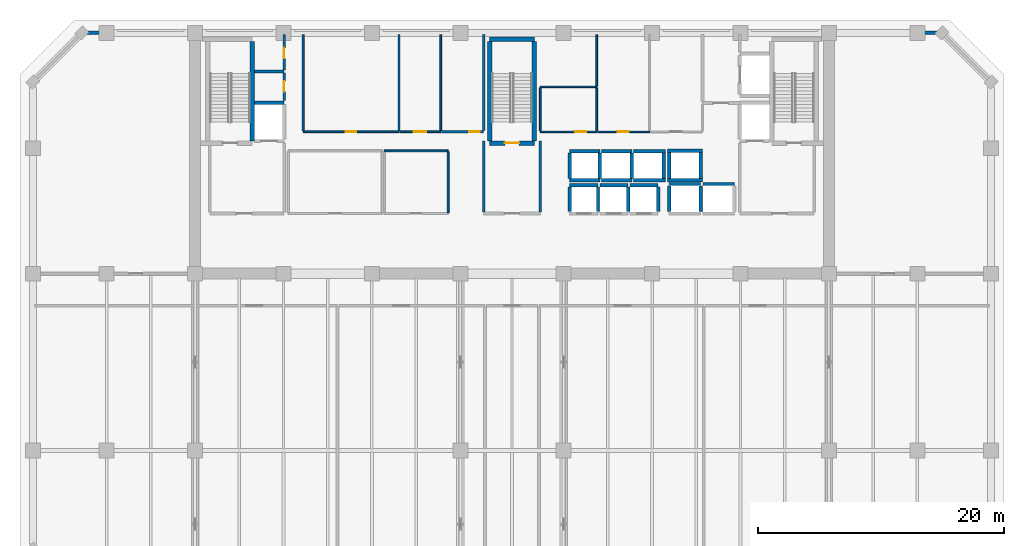
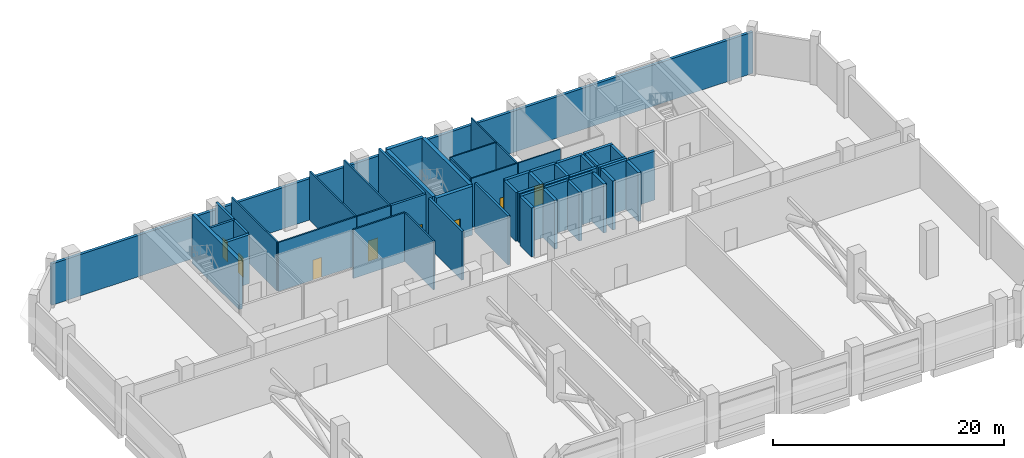
# One storey, part 9 of 13: 52 walls, 8 doors, 8 openings.
"""IFC4 building model written with IfcOpenShell, lengths in metres."""

from ifc_helpers import new_model, si_unit, direction, frame, frame_2d, origin, place, context, subcontext, project, spatial, rectangle, extrude, material, layer, layer_set, type_object, element, fill, save


model = new_model("IFC4")

# Units and contexts
model_context = context("Model", 3, precision=1e-05, world=origin(), true_north=direction((0.0, 1.0)))
body_context = subcontext(model_context, "Body", "Model", "MODEL_VIEW")
ifc_project = project(units=[si_unit("LENGTHUNIT", "METRE"), si_unit("AREAUNIT", "SQUARE_METRE"), si_unit("VOLUMEUNIT", "CUBIC_METRE"), si_unit("PLANEANGLEUNIT", "RADIAN"), si_unit("MASSUNIT", "GRAM", prefix="KILO")], contexts=[model_context])

# Site, building, storey
site_placement = place(None, origin())
site = spatial("IfcSite", under=ifc_project, at=site_placement, CompositionType="ELEMENT")
building_placement = place(site_placement, origin())
building = spatial("IfcBuilding", under=site, at=building_placement, Name="Kaelvorn Grand Hotel", CompositionType="ELEMENT")
storey_placement = place(building_placement, frame((0.0, 0.0, 184.75)))
storey = spatial("IfcBuildingStorey", under=building, at=storey_placement, Name="L45", CompositionType="ELEMENT", Elevation=184.75)

# Wall
ifc_material_1 = material(Name="Concrete C40/50", Category="concrete")
ifc_layer_1 = layer(ifc_material_1, 0.280029296875)
ifc_layer_set_1 = layer_set([ifc_layer_1], Name="Concrete C40/50")
wall_type_1 = type_object("IfcWallType", Name="WL-EXT-280-C40", PredefinedType="SOLIDWALL", material=ifc_layer_set_1)
wall_1_placement = place(storey_placement, frame((77.0, 49.0, 0.0), z_axis=(0.0, 0.0, 1.0), x_axis=(-1.0, 0.0, 0.0)))
element("IfcWall", 1, at=wall_1_placement, inside=storey, type_object=wall_type_1, Name="L45 Exterior Architectural Concrete Wall 05", PredefinedType="SOLIDWALL", context=body_context, shape_type="SweptSolid", body=[
    extrude(rectangle(XDim=70.0, YDim=0.280029296875, at=frame_2d((35.0, 0.0))), origin(), (0.0, 0.0, 1.0), 4.360107421875),
])

# Wall, opening, door
ifc_material_2 = material(Name="Moisture-Resistant Tile & Stud Board")
ifc_layer_2 = layer(ifc_material_2, 0.125)
ifc_layer_set_2 = layer_set([ifc_layer_2], Name="Moisture-Resistant Tile & Stud Board")
wall_type_2 = type_object("IfcWallType", Name="WL-PART-125-WET", PredefinedType="PARTITIONING", material=ifc_layer_set_2)
wall_2_placement = place(storey_placement, frame((44.300048828125, 40.949951171875, 0.0), z_axis=(0.0, 0.0, 1.0), x_axis=(1.0, 0.0, 0.0)))
wall_2 = element("IfcWall", 2, at=wall_2_placement, inside=storey, type_object=wall_type_2, Name="L45 Accessible WC S Partition", PredefinedType="PARTITIONING", context=body_context, shape_type="SweptSolid", body=[
    extrude(rectangle(XDim=4.599853515625, YDim=0.125, at=frame_2d((2.2998046875, 0.0))), origin(), (0.0, 0.0, 1.0), 5.159912109375),
])
opening_1_placement = place(wall_2_placement, frame((2.85009765625, 0.0, 0.0)))
opening_1 = element("IfcOpeningElement", 3, at=opening_1_placement, cuts=wall_2, Name="Opening DI4", PredefinedType="OPENING", context=body_context, shape_type="SweptSolid", body=[
    extrude(rectangle(XDim=0.89990234375, YDim=2.10009765625, at=frame_2d((0.449951171875, 1.050048828125))), frame((0.0, 0.072509765625, 0.0), z_axis=(0.0, -1.0, 0.0), x_axis=(1.0, 0.0, 0.0)), (0.0, 0.0, 1.0), 0.14501953125),
])
ifc_material_3 = material(Name="Timber Veneer Leaf", Category="wood")
door_type_1 = type_object("IfcDoorType", Name="DR-INT-BATH-900x2100", OperationType="NOTDEFINED", PredefinedType="DOOR", material=ifc_material_3)
door_1_placement = place(opening_1_placement, origin())
door_1 = element("IfcDoor", 4, at=door_1_placement, inside=storey, type_object=door_type_1, Name="L45 Accessible WC Door", OperationType="SINGLE_SWING_LEFT", OverallHeight=2.10009765625, OverallWidth=0.89990234375, PredefinedType="DOOR", context=body_context, shape_type="SweptSolid", body=[
    extrude(rectangle(XDim=0.89990234375, YDim=2.10009765625, at=frame_2d((0.449951171875, 1.050048828125))), frame((0.0, 0.02490234375, 0.0), z_axis=(0.0, -1.0, 0.0), x_axis=(1.0, 0.0, 0.0)), (0.0, 0.0, 1.0), 0.050048828125),
])
fill(opening_1, door_1)

# Walls
wall_3_placement = place(storey_placement, frame((44.300048828125, 44.60009765625, 0.0), z_axis=(0.0, 0.0, 1.0), x_axis=(1.0, 0.0, 0.0)))
element("IfcWall", 5, at=wall_3_placement, inside=storey, type_object=wall_type_2, Name="L45 Accessible WC N Partition", PredefinedType="PARTITIONING", context=body_context, shape_type="SweptSolid", body=[
    extrude(rectangle(XDim=4.599853515625, YDim=0.125, at=frame_2d((2.2998046875, 0.0))), origin(), (0.0, 0.0, 1.0), 5.159912109375),
])
for number, where, z_axis, x_axis, name in (
    (6, (44.300048828125, 41.017578125, 0.0), (0.0, 0.0, 1.0), (0.0, 1.0, 0.0), "L45 Accessible WC W Partition"),
    (7, (48.89990234375, 41.017578125, 0.0), (0.0, 0.0, 1.0), (0.0, 1.0, 0.0), "L45 Accessible WC E Partition"),
):
    element("IfcWall", number, at=place(storey_placement, frame(where, z_axis=z_axis, x_axis=x_axis)), inside=storey, type_object=wall_type_2, Name=name, PredefinedType="PARTITIONING", context=body_context, shape_type="SweptSolid", body=[
        extrude(rectangle(XDim=3.514892578125, YDim=0.125, at=frame_2d((1.75732421875, 0.0))), origin(), (0.0, 0.0, 1.0), 5.159912109375),
    ])

# Wall, opening, door
wall_4_placement = place(storey_placement, frame((48.967529296875, 40.949951171875, 0.0), z_axis=(0.0, 0.0, 1.0), x_axis=(1.0, 0.0, 0.0)))
wall_4 = element("IfcWall", 8, at=wall_4_placement, inside=storey, type_object=wall_type_2, Name="L45 Male Public Toilets S Partition", PredefinedType="PARTITIONING", context=body_context, shape_type="SweptSolid", body=[
    extrude(rectangle(XDim=4.232421875, YDim=0.125, at=frame_2d((2.1162109375, 0.0))), origin(), (0.0, 0.0, 1.0), 5.159912109375),
])
opening_2_placement = place(wall_4_placement, frame((1.632568359375, 0.0, 0.0)))
opening_2 = element("IfcOpeningElement", 9, at=opening_2_placement, cuts=wall_4, Name="Opening DI4", PredefinedType="OPENING", context=body_context, shape_type="SweptSolid", body=[
    extrude(rectangle(XDim=0.89990234375, YDim=2.10009765625, at=frame_2d((0.449951171875, 1.050048828125))), frame((0.0, 0.072509765625, 0.0), z_axis=(0.0, -1.0, 0.0), x_axis=(1.0, 0.0, 0.0)), (0.0, 0.0, 1.0), 0.14501953125),
])
door_2_placement = place(opening_2_placement, origin())
door_2 = element("IfcDoor", 10, at=door_2_placement, inside=storey, type_object=door_type_1, Name="L45 Male Public Toilets Door", OperationType="SINGLE_SWING_RIGHT", OverallHeight=2.10009765625, OverallWidth=0.89990234375, PredefinedType="DOOR", context=body_context, shape_type="SweptSolid", body=[
    extrude(rectangle(XDim=0.89990234375, YDim=2.10009765625, at=frame_2d((0.449951171875, 1.050048828125))), frame((0.0, 0.02490234375, 0.0), z_axis=(0.0, -1.0, 0.0), x_axis=(1.0, 0.0, 0.0)), (0.0, 0.0, 1.0), 0.050048828125),
])
fill(opening_2, door_2)

# Walls
wall_5_placement = place(storey_placement, frame((48.89990234375, 44.66748046875, 0.0), z_axis=(0.0, 0.0, 1.0), x_axis=(0.0, 1.0, 0.0)))
element("IfcWall", 11, at=wall_5_placement, inside=storey, type_object=wall_type_2, Name="L45 Male Public Toilets W Partition", PredefinedType="PARTITIONING", context=body_context, shape_type="SweptSolid", body=[
    extrude(rectangle(XDim=4.1826171875, YDim=0.125, at=frame_2d((2.09130859375, 0.0))), origin(), (0.0, 0.0, 1.0), 5.159912109375),
])
ifc_material_4 = material(Name="Acoustic Gypsum & Stud Partition")
ifc_layer_3 = layer(ifc_material_4, 0.14990234375)
ifc_layer_set_3 = layer_set([ifc_layer_3], Name="Acoustic Gypsum & Stud Partition")
wall_type_3 = type_object("IfcWallType", Name="WL-PART-150-EI60", PredefinedType="PARTITIONING", material=ifc_layer_set_3)
wall_6_placement = place(storey_placement, frame((31.60009765625, 39.39990234375, 0.0), z_axis=(0.0, 0.0, 1.0), x_axis=(1.0, 0.0, 0.0)))
element("IfcWall", 12, at=wall_6_placement, inside=storey, type_object=wall_type_3, Name="L45 Core Telecoms & BMS Server Room N Partition", PredefinedType="PARTITIONING", context=body_context, shape_type="SweptSolid", body=[
    extrude(rectangle(XDim=5.199951171875, YDim=0.14990234375, at=frame_2d((2.60009765625, 0.0))), origin(), (0.0, 0.0, 1.0), 5.159912109375),
])
wall_7_placement = place(storey_placement, frame((36.800048828125, 34.3798828125, 0.0), z_axis=(0.0, 0.0, 1.0), x_axis=(0.0, 1.0, 0.0)))
element("IfcWall", 13, at=wall_7_placement, inside=storey, type_object=wall_type_3, Name="L45 Core Telecoms & BMS Server Room E Partition", PredefinedType="PARTITIONING", context=body_context, shape_type="SweptSolid", body=[
    extrude(rectangle(XDim=4.940185546875, YDim=0.14990234375, at=frame_2d((2.47021484375, 0.0))), origin(), (0.0, 0.0, 1.0), 5.159912109375),
])

# Wall, opening, door
wall_8_placement = place(storey_placement, frame((25.0, 40.949951171875, 0.0), z_axis=(0.0, 0.0, 1.0), x_axis=(1.0, 0.0, 0.0)))
wall_8 = element("IfcWall", 14, at=wall_8_placement, inside=storey, type_object=wall_type_3, Name="L45 Housekeeping & Cleaner Store S Partition", PredefinedType="PARTITIONING", context=body_context, shape_type="SweptSolid", body=[
    extrude(rectangle(XDim=7.800048828125, YDim=0.14990234375, at=frame_2d((3.89990234375, 0.0))), origin(), (0.0, 0.0, 1.0), 5.159912109375),
])
opening_3_placement = place(wall_8_placement, frame((3.47509765625, 0.0, 0.0)))
opening_3 = element("IfcOpeningElement", 15, at=opening_3_placement, cuts=wall_8, Name="Opening DI7", PredefinedType="OPENING", context=body_context, shape_type="SweptSolid", body=[
    extrude(rectangle(XDim=0.85009765625, YDim=2.10009765625, at=frame_2d((0.425048828125, 1.050048828125))), frame((0.0, 0.0849609375, 0.0), z_axis=(0.0, -1.0, 0.0), x_axis=(1.0, 0.0, 0.0)), (0.0, 0.0, 1.0), 0.169921875),
])
ifc_material_5 = material(Name="Powder-Coated Steel Leaf", Category="steel")
door_type_2 = type_object("IfcDoorType", Name="DR-INT-RISER-850x2100", OperationType="NOTDEFINED", PredefinedType="DOOR", material=ifc_material_5)
door_3_placement = place(opening_3_placement, origin())
door_3 = element("IfcDoor", 16, at=door_3_placement, inside=storey, type_object=door_type_2, Name="L45 Housekeeping & Cleaner Store Door", OperationType="SINGLE_SWING_RIGHT", OverallHeight=2.10009765625, OverallWidth=0.85009765625, PredefinedType="DOOR", context=body_context, shape_type="SweptSolid", body=[
    extrude(rectangle(XDim=0.85009765625, YDim=2.10009765625, at=frame_2d((0.425048828125, 1.050048828125))), frame((0.0, 0.02490234375, 0.0), z_axis=(0.0, -1.0, 0.0), x_axis=(1.0, 0.0, 0.0)), (0.0, 0.0, 1.0), 0.050048828125),
])
fill(opening_3, door_3)

# Walls
for number, where, z_axis, x_axis, name in (
    (17, (25.0, 41.030029296875, 0.0), (0.0, 0.0, 1.0), (0.0, 1.0, 0.0), "L45 Housekeeping & Cleaner Store W Partition"),
    (18, (32.800048828125, 41.030029296875, 0.0), (0.0, 0.0, 1.0), (0.0, 1.0, 0.0), "L45 Housekeeping & Cleaner Store E Partition"),
):
    element("IfcWall", number, at=place(storey_placement, frame(where, z_axis=z_axis, x_axis=x_axis)), inside=storey, type_object=wall_type_3, Name=name, PredefinedType="PARTITIONING", context=body_context, shape_type="SweptSolid", body=[
        extrude(rectangle(XDim=7.820068359375, YDim=0.14990234375, at=frame_2d((3.91015625, 0.0))), origin(), (0.0, 0.0, 1.0), 5.159912109375),
    ])

# Wall, opening, door
wall_9_placement = place(storey_placement, frame((32.8798828125, 40.949951171875, 0.0), z_axis=(0.0, 0.0, 1.0), x_axis=(1.0, 0.0, 0.0)))
wall_9 = element("IfcWall", 19, at=wall_9_placement, inside=storey, type_object=wall_type_3, Name="L45 Floor Butler Tea Point S Partition", PredefinedType="PARTITIONING", context=body_context, shape_type="SweptSolid", body=[
    extrude(rectangle(XDim=3.320068359375, YDim=0.14990234375, at=frame_2d((1.66015625, 0.0))), origin(), (0.0, 0.0, 1.0), 5.159912109375),
])
opening_4_placement = place(wall_9_placement, frame((1.1201171875, 0.0, 0.0)))
opening_4 = element("IfcOpeningElement", 20, at=opening_4_placement, cuts=wall_9, Name="Opening DI3", PredefinedType="OPENING", context=body_context, shape_type="SweptSolid", body=[
    extrude(rectangle(XDim=1.0, YDim=2.14990234375, at=frame_2d((0.5, 1.074951171875))), frame((0.0, 0.0849609375, 0.0), z_axis=(0.0, -1.0, 0.0), x_axis=(1.0, 0.0, 0.0)), (0.0, 0.0, 1.0), 0.169921875),
])
ifc_material_6 = material(Name="Timber Veneer Fire Leaf", Category="wood")
door_type_3 = type_object("IfcDoorType", Name="DR-INT-GUEST-1000x2150", OperationType="NOTDEFINED", PredefinedType="DOOR", material=ifc_material_6)
door_4_placement = place(opening_4_placement, origin())
door_4 = element("IfcDoor", 21, at=door_4_placement, inside=storey, type_object=door_type_3, Name="L45 Floor Butler Tea Point Door", OperationType="SINGLE_SWING_LEFT", OverallHeight=2.14990234375, OverallWidth=1.0, PredefinedType="DOOR", context=body_context, shape_type="SweptSolid", body=[
    extrude(rectangle(XDim=1.0, YDim=2.14990234375, at=frame_2d((0.5, 1.074951171875))), frame((0.0, 0.02490234375, 0.0), z_axis=(0.0, -1.0, 0.0), x_axis=(1.0, 0.0, 0.0)), (0.0, 0.0, 1.0), 0.050048828125),
])
fill(opening_4, door_4)

# Walls
wall_10_placement = place(storey_placement, frame((36.199951171875, 41.030029296875, 0.0), z_axis=(0.0, 0.0, 1.0), x_axis=(0.0, 1.0, 0.0)))
element("IfcWall", 22, at=wall_10_placement, inside=storey, type_object=wall_type_3, Name="L45 Floor Butler Tea Point E Partition", PredefinedType="PARTITIONING", context=body_context, shape_type="SweptSolid", body=[
    extrude(rectangle(XDim=7.820068359375, YDim=0.14990234375, at=frame_2d((3.91015625, 0.0))), origin(), (0.0, 0.0, 1.0), 5.159912109375),
])
ifc_layer_4 = layer(ifc_material_1, 0.219970703125)
ifc_layer_set_4 = layer_set([ifc_layer_4], Name="Concrete C40/50")
wall_type_4 = type_object("IfcWallType", Name="WL-PART-220-EI120", PredefinedType="PARTITIONING", material=ifc_layer_set_4)
for number, where, z_axis, x_axis, name in (
    (23, (39.699951171875, 34.4150390625, 0.0), (0.0, 0.0, 1.0), (0.0, 1.0, 0.0), "L45 Central Stair Escape Vestibule W Partition"),
    (24, (44.300048828125, 34.4150390625, 0.0), (0.0, 0.0, 1.0), (0.0, 1.0, 0.0), "L45 Central Stair Escape Vestibule E Partition"),
):
    element("IfcWall", number, at=place(storey_placement, frame(where, z_axis=z_axis, x_axis=x_axis)), inside=storey, type_object=wall_type_4, Name=name, PredefinedType="PARTITIONING", context=body_context, shape_type="SweptSolid", body=[
        extrude(rectangle(XDim=5.784912109375, YDim=0.219970703125, at=frame_2d((2.892578125, 0.0))), origin(), (0.0, 0.0, 1.0), 5.159912109375),
    ])
wall_11_placement = place(storey_placement, frame((21.034912109375, 45.85009765625, 0.0), z_axis=(0.0, 0.0, 1.0), x_axis=(1.0, 0.0, 0.0)))
element("IfcWall", 25, at=wall_11_placement, inside=storey, type_object=wall_type_4, Name="L45 Wet Fire & Plumbing Riser Shaft N Partition", PredefinedType="PARTITIONING", context=body_context, shape_type="SweptSolid", body=[
    extrude(rectangle(XDim=2.4150390625, YDim=0.219970703125, at=frame_2d((1.20751953125, 0.0))), origin(), (0.0, 0.0, 1.0), 5.159912109375),
])

# Wall, opening, door
wall_12_placement = place(storey_placement, frame((23.449951171875, 43.5, 0.0), z_axis=(0.0, 0.0, 1.0), x_axis=(0.0, 1.0, 0.0)))
wall_12 = element("IfcWall", 26, at=wall_12_placement, inside=storey, type_object=wall_type_4, Name="L45 Wet Fire & Plumbing Riser Shaft E Partition", PredefinedType="PARTITIONING", context=body_context, shape_type="SweptSolid", body=[
    extrude(rectangle(XDim=2.235107421875, YDim=0.219970703125, at=frame_2d((1.11767578125, 0.0))), origin(), (0.0, 0.0, 1.0), 5.159912109375),
])
opening_5_placement = place(wall_12_placement, frame((0.72509765625, 0.0, 0.0)))
opening_5 = element("IfcOpeningElement", 27, at=opening_5_placement, cuts=wall_12, Name="Opening DI7", PredefinedType="OPENING", context=body_context, shape_type="SweptSolid", body=[
    extrude(rectangle(XDim=0.85009765625, YDim=2.10009765625, at=frame_2d((0.425048828125, 1.050048828125))), frame((0.0, 0.1201171875, 0.0), z_axis=(0.0, -1.0, 0.0), x_axis=(1.0, 0.0, 0.0)), (0.0, 0.0, 1.0), 0.239990234375),
])
door_5_placement = place(opening_5_placement, origin())
door_5 = element("IfcDoor", 28, at=door_5_placement, inside=storey, type_object=door_type_2, Name="L45 Wet Fire & Plumbing Riser Shaft Door", OperationType="SINGLE_SWING_RIGHT", OverallHeight=2.10009765625, OverallWidth=0.85009765625, PredefinedType="DOOR", context=body_context, shape_type="SweptSolid", body=[
    extrude(rectangle(XDim=0.85009765625, YDim=2.10009765625, at=frame_2d((0.425048828125, 1.050048828125))), frame((0.0, 0.02490234375, 0.0), z_axis=(0.0, -1.0, 0.0), x_axis=(1.0, 0.0, 0.0)), (0.0, 0.0, 1.0), 0.050048828125),
])
fill(opening_5, door_5)

wall_13_placement = place(storey_placement, frame((23.449951171875, 45.965087890625, 0.0), z_axis=(0.0, 0.0, 1.0), x_axis=(0.0, 1.0, 0.0)))
wall_13 = element("IfcWall", 29, at=wall_13_placement, inside=storey, type_object=wall_type_4, Name="L45 HV Electrical & Smoke Riser E Partition", PredefinedType="PARTITIONING", context=body_context, shape_type="SweptSolid", body=[
    extrude(rectangle(XDim=2.885009765625, YDim=0.219970703125, at=frame_2d((1.4423828125, 0.0))), origin(), (0.0, 0.0, 1.0), 5.159912109375),
])
opening_6_placement = place(wall_13_placement, frame((0.9599609375, 0.0, 0.0)))
opening_6 = element("IfcOpeningElement", 30, at=opening_6_placement, cuts=wall_13, Name="Opening DI7", PredefinedType="OPENING", context=body_context, shape_type="SweptSolid", body=[
    extrude(rectangle(XDim=0.85009765625, YDim=2.10009765625, at=frame_2d((0.425048828125, 1.050048828125))), frame((0.0, 0.1201171875, 0.0), z_axis=(0.0, -1.0, 0.0), x_axis=(1.0, 0.0, 0.0)), (0.0, 0.0, 1.0), 0.239990234375),
])
door_6_placement = place(opening_6_placement, origin())
door_6 = element("IfcDoor", 31, at=door_6_placement, inside=storey, type_object=door_type_2, Name="L45 HV Electrical & Smoke Riser Door", OperationType="SINGLE_SWING_LEFT", OverallHeight=2.10009765625, OverallWidth=0.85009765625, PredefinedType="DOOR", context=body_context, shape_type="SweptSolid", body=[
    extrude(rectangle(XDim=0.85009765625, YDim=2.10009765625, at=frame_2d((0.425048828125, 1.050048828125))), frame((0.0, 0.02490234375, 0.0), z_axis=(0.0, -1.0, 0.0), x_axis=(1.0, 0.0, 0.0)), (0.0, 0.0, 1.0), 0.050048828125),
])
fill(opening_6, door_6)

wall_14_placement = place(storey_placement, frame((36.280029296875, 40.949951171875, 0.0), z_axis=(0.0, 0.0, 1.0), x_axis=(1.0, 0.0, 0.0)))
wall_14 = element("IfcWall", 32, at=wall_14_placement, inside=storey, type_object=wall_type_4, Name="L45 LV Electrical & Metering Room S Partition", PredefinedType="PARTITIONING", context=body_context, shape_type="SweptSolid", body=[
    extrude(rectangle(XDim=3.419921875, YDim=0.219970703125, at=frame_2d((1.7099609375, 0.0))), origin(), (0.0, 0.0, 1.0), 5.159912109375),
])
opening_7_placement = place(wall_14_placement, frame((2.2451171875, 0.0, 0.0)))
opening_7 = element("IfcOpeningElement", 33, at=opening_7_placement, cuts=wall_14, Name="Opening DI7", PredefinedType="OPENING", context=body_context, shape_type="SweptSolid", body=[
    extrude(rectangle(XDim=0.85009765625, YDim=2.10009765625, at=frame_2d((0.425048828125, 1.050048828125))), frame((0.0, 0.1201171875, 0.0), z_axis=(0.0, -1.0, 0.0), x_axis=(1.0, 0.0, 0.0)), (0.0, 0.0, 1.0), 0.239990234375),
])
door_7_placement = place(opening_7_placement, origin())
door_7 = element("IfcDoor", 34, at=door_7_placement, inside=storey, type_object=door_type_2, Name="L45 LV Electrical & Metering Room Door", OperationType="SINGLE_SWING_RIGHT", OverallHeight=2.10009765625, OverallWidth=0.85009765625, PredefinedType="DOOR", context=body_context, shape_type="SweptSolid", body=[
    extrude(rectangle(XDim=0.85009765625, YDim=2.10009765625, at=frame_2d((0.425048828125, 1.050048828125))), frame((0.0, 0.02490234375, 0.0), z_axis=(0.0, -1.0, 0.0), x_axis=(1.0, 0.0, 0.0)), (0.0, 0.0, 1.0), 0.050048828125),
])
fill(opening_7, door_7)

# Walls
wall_15_placement = place(storey_placement, frame((39.699951171875, 41.06494140625, 0.0), z_axis=(0.0, 0.0, 1.0), x_axis=(0.0, 1.0, 0.0)))
element("IfcWall", 35, at=wall_15_placement, inside=storey, type_object=wall_type_4, Name="L45 LV Electrical & Metering Room E Partition", PredefinedType="PARTITIONING", context=body_context, shape_type="SweptSolid", body=[
    extrude(rectangle(XDim=7.78515625, YDim=0.219970703125, at=frame_2d((3.892578125, 0.0))), origin(), (0.0, 0.0, 1.0), 5.159912109375),
])
ifc_material_7 = material(Name="Concrete C50/60", Category="concrete")
ifc_layer_5 = layer(ifc_material_7, 0.280029296875)
ifc_layer_set_5 = layer_set([ifc_layer_5], Name="Concrete C50/60")
wall_type_5 = type_object("IfcWallType", Name="WL-SHAFT-280-C50", PredefinedType="SHEAR", material=ifc_layer_set_5)
wall_16_placement = place(storey_placement, frame((46.699951171875, 36.60009765625, 0.0), z_axis=(0.0, 0.0, 1.0), x_axis=(1.0, 0.0, 0.0)))
element("IfcWall", 36, at=wall_16_placement, inside=storey, type_object=wall_type_5, Name="L45 Lift PL-M1 Shaft North Wall", PredefinedType="SHEAR", context=body_context, shape_type="SweptSolid", body=[
    extrude(rectangle(XDim=2.300048828125, YDim=0.280029296875, at=frame_2d((1.14990234375, 0.0))), origin(), (0.0, 0.0, 1.0), 5.159912109375),
])
for number, where, z_axis, x_axis, name in (
    (37, (46.699951171875, 34.445068359375, 0.0), (0.0, 0.0, 1.0), (0.0, 1.0, 0.0), "L45 Lift PL-M1 Shaft West Wall"),
    (38, (49.0, 34.445068359375, 0.0), (0.0, 0.0, 1.0), (0.0, 1.0, 0.0), "L45 Lift PL-M1 Shaft East Wall"),
):
    element("IfcWall", number, at=place(storey_placement, frame(where, z_axis=z_axis, x_axis=x_axis)), inside=storey, type_object=wall_type_5, Name=name, PredefinedType="SHEAR", context=body_context, shape_type="SweptSolid", body=[
        extrude(rectangle(XDim=2.010009765625, YDim=0.280029296875, at=frame_2d((1.0048828125, 0.0))), origin(), (0.0, 0.0, 1.0), 5.159912109375),
    ])
wall_17_placement = place(storey_placement, frame((49.14990234375, 36.60009765625, 0.0), z_axis=(0.0, 0.0, 1.0), x_axis=(1.0, 0.0, 0.0)))
element("IfcWall", 39, at=wall_17_placement, inside=storey, type_object=wall_type_5, Name="L45 Lift PL-M2 Shaft North Wall", PredefinedType="SHEAR", context=body_context, shape_type="SweptSolid", body=[
    extrude(rectangle(XDim=2.300048828125, YDim=0.280029296875, at=frame_2d((1.14990234375, 0.0))), origin(), (0.0, 0.0, 1.0), 5.159912109375),
])
wall_18_placement = place(storey_placement, frame((51.449951171875, 34.445068359375, 0.0), z_axis=(0.0, 0.0, 1.0), x_axis=(0.0, 1.0, 0.0)))
element("IfcWall", 40, at=wall_18_placement, inside=storey, type_object=wall_type_5, Name="L45 Lift PL-M2 Shaft East Wall", PredefinedType="SHEAR", context=body_context, shape_type="SweptSolid", body=[
    extrude(rectangle(XDim=2.010009765625, YDim=0.280029296875, at=frame_2d((1.0048828125, 0.0))), origin(), (0.0, 0.0, 1.0), 5.159912109375),
])
wall_19_placement = place(storey_placement, frame((51.60009765625, 36.60009765625, 0.0), z_axis=(0.0, 0.0, 1.0), x_axis=(1.0, 0.0, 0.0)))
element("IfcWall", 41, at=wall_19_placement, inside=storey, type_object=wall_type_5, Name="L45 Lift PL-M3 Shaft North Wall", PredefinedType="SHEAR", context=body_context, shape_type="SweptSolid", body=[
    extrude(rectangle(XDim=2.2998046875, YDim=0.280029296875, at=frame_2d((1.14990234375, 0.0))), origin(), (0.0, 0.0, 1.0), 5.159912109375),
])
wall_20_placement = place(storey_placement, frame((53.89990234375, 34.445068359375, 0.0), z_axis=(0.0, 0.0, 1.0), x_axis=(0.0, 1.0, 0.0)))
element("IfcWall", 42, at=wall_20_placement, inside=storey, type_object=wall_type_5, Name="L45 Lift PL-M3 Shaft East Wall", PredefinedType="SHEAR", context=body_context, shape_type="SweptSolid", body=[
    extrude(rectangle(XDim=2.010009765625, YDim=0.280029296875, at=frame_2d((1.0048828125, 0.0))), origin(), (0.0, 0.0, 1.0), 5.159912109375),
])
for number, where, z_axis, x_axis, name in (
    (43, (46.699951171875, 37.0, 0.0), (0.0, 0.0, 1.0), (1.0, 0.0, 0.0), "L45 Lift SL-1 Shaft South Wall"),
    (44, (46.699951171875, 39.35009765625, 0.0), (0.0, 0.0, 1.0), (1.0, 0.0, 0.0), "L45 Lift SL-1 Shaft North Wall"),
):
    element("IfcWall", number, at=place(storey_placement, frame(where, z_axis=z_axis, x_axis=x_axis)), inside=storey, type_object=wall_type_5, Name=name, PredefinedType="SHEAR", context=body_context, shape_type="SweptSolid", body=[
        extrude(rectangle(XDim=2.449951171875, YDim=0.280029296875, at=frame_2d((1.22509765625, 0.0))), origin(), (0.0, 0.0, 1.0), 5.159912109375),
    ])
for number, where, z_axis, x_axis, name in (
    (45, (46.699951171875, 37.14501953125, 0.0), (0.0, 0.0, 1.0), (0.0, 1.0, 0.0), "L45 Lift SL-1 Shaft West Wall"),
    (46, (49.14990234375, 37.14501953125, 0.0), (0.0, 0.0, 1.0), (0.0, 1.0, 0.0), "L45 Lift SL-1 Shaft East Wall"),
):
    element("IfcWall", number, at=place(storey_placement, frame(where, z_axis=z_axis, x_axis=x_axis)), inside=storey, type_object=wall_type_5, Name=name, PredefinedType="SHEAR", context=body_context, shape_type="SweptSolid", body=[
        extrude(rectangle(XDim=2.06005859375, YDim=0.280029296875, at=frame_2d((1.030029296875, 0.0))), origin(), (0.0, 0.0, 1.0), 5.159912109375),
    ])
for number, where, z_axis, x_axis, name in (
    (47, (49.300048828125, 37.0, 0.0), (0.0, 0.0, 1.0), (1.0, 0.0, 0.0), "L45 Lift SL-2 Shaft South Wall"),
    (48, (49.300048828125, 39.35009765625, 0.0), (0.0, 0.0, 1.0), (1.0, 0.0, 0.0), "L45 Lift SL-2 Shaft North Wall"),
):
    element("IfcWall", number, at=place(storey_placement, frame(where, z_axis=z_axis, x_axis=x_axis)), inside=storey, type_object=wall_type_5, Name=name, PredefinedType="SHEAR", context=body_context, shape_type="SweptSolid", body=[
        extrude(rectangle(XDim=2.449951171875, YDim=0.280029296875, at=frame_2d((1.22509765625, 0.0))), origin(), (0.0, 0.0, 1.0), 5.159912109375),
    ])
wall_21_placement = place(storey_placement, frame((51.75, 37.14501953125, 0.0), z_axis=(0.0, 0.0, 1.0), x_axis=(0.0, 1.0, 0.0)))
element("IfcWall", 49, at=wall_21_placement, inside=storey, type_object=wall_type_5, Name="L45 Lift SL-2 Shaft East Wall", PredefinedType="SHEAR", context=body_context, shape_type="SweptSolid", body=[
    extrude(rectangle(XDim=2.06005859375, YDim=0.280029296875, at=frame_2d((1.030029296875, 0.0))), origin(), (0.0, 0.0, 1.0), 5.159912109375),
])
for number, where, z_axis, x_axis, name in (
    (50, (51.89990234375, 37.0, 0.0), (0.0, 0.0, 1.0), (1.0, 0.0, 0.0), "L45 Lift SL-3 Shaft South Wall"),
    (51, (51.89990234375, 39.35009765625, 0.0), (0.0, 0.0, 1.0), (1.0, 0.0, 0.0), "L45 Lift SL-3 Shaft North Wall"),
):
    element("IfcWall", number, at=place(storey_placement, frame(where, z_axis=z_axis, x_axis=x_axis)), inside=storey, type_object=wall_type_5, Name=name, PredefinedType="SHEAR", context=body_context, shape_type="SweptSolid", body=[
        extrude(rectangle(XDim=2.590087890625, YDim=0.280029296875, at=frame_2d((1.294921875, 0.0))), origin(), (0.0, 0.0, 1.0), 5.159912109375),
    ])
wall_22_placement = place(storey_placement, frame((54.35009765625, 37.14501953125, 0.0), z_axis=(0.0, 0.0, 1.0), x_axis=(0.0, 1.0, 0.0)))
element("IfcWall", 52, at=wall_22_placement, inside=storey, type_object=wall_type_5, Name="L45 Lift SL-3 Shaft East Wall", PredefinedType="SHEAR", context=body_context, shape_type="SweptSolid", body=[
    extrude(rectangle(XDim=2.06005859375, YDim=0.280029296875, at=frame_2d((1.030029296875, 0.0))), origin(), (0.0, 0.0, 1.0), 5.159912109375),
])
wall_23_placement = place(storey_placement, frame((54.800048828125, 36.699951171875, 0.0), z_axis=(0.0, 0.0, 1.0), x_axis=(1.0, 0.0, 0.0)))
element("IfcWall", 53, at=wall_23_placement, inside=storey, type_object=wall_type_5, Name="L45 Lift OL-1 Shaft North Wall", PredefinedType="SHEAR", context=body_context, shape_type="SweptSolid", body=[
    extrude(rectangle(XDim=2.550048828125, YDim=0.280029296875, at=frame_2d((1.27490234375, 0.0))), origin(), (0.0, 0.0, 1.0), 5.159912109375),
])
for number, where, z_axis, x_axis, name in (
    (54, (54.800048828125, 34.445068359375, 0.0), (0.0, 0.0, 1.0), (0.0, 1.0, 0.0), "L45 Lift OL-1 Shaft West Wall"),
    (55, (57.35009765625, 34.445068359375, 0.0), (0.0, 0.0, 1.0), (0.0, 1.0, 0.0), "L45 Lift OL-1 Shaft East Wall"),
):
    element("IfcWall", number, at=place(storey_placement, frame(where, z_axis=z_axis, x_axis=x_axis)), inside=storey, type_object=wall_type_5, Name=name, PredefinedType="SHEAR", context=body_context, shape_type="SweptSolid", body=[
        extrude(rectangle(XDim=2.10986328125, YDim=0.280029296875, at=frame_2d((1.054931640625, 0.0))), origin(), (0.0, 0.0, 1.0), 5.159912109375),
    ])
wall_24_placement = place(storey_placement, frame((57.550048828125, 36.699951171875, 0.0), z_axis=(0.0, 0.0, 1.0), x_axis=(1.0, 0.0, 0.0)))
element("IfcWall", 56, at=wall_24_placement, inside=storey, type_object=wall_type_5, Name="L45 Lift OL-2 Shaft North Wall", PredefinedType="SHEAR", context=body_context, shape_type="SweptSolid", body=[
    extrude(rectangle(XDim=2.550048828125, YDim=0.280029296875, at=frame_2d((1.27490234375, 0.0))), origin(), (0.0, 0.0, 1.0), 5.159912109375),
])
for number, where, z_axis, x_axis, name in (
    (57, (54.659912109375, 37.0, 0.0), (0.0, 0.0, 1.0), (1.0, 0.0, 0.0), "L45 Lift OL-3 Shaft South Wall"),
    (58, (54.659912109375, 39.39990234375, 0.0), (0.0, 0.0, 1.0), (1.0, 0.0, 0.0), "L45 Lift OL-3 Shaft North Wall"),
):
    element("IfcWall", number, at=place(storey_placement, frame(where, z_axis=z_axis, x_axis=x_axis)), inside=storey, type_object=wall_type_5, Name=name, PredefinedType="SHEAR", context=body_context, shape_type="SweptSolid", body=[
        extrude(rectangle(XDim=2.830078125, YDim=0.280029296875, at=frame_2d((1.4150390625, 0.0))), origin(), (0.0, 0.0, 1.0), 5.159912109375),
    ])
for number, where, z_axis, x_axis, name in (
    (59, (54.800048828125, 37.14501953125, 0.0), (0.0, 0.0, 1.0), (0.0, 1.0, 0.0), "L45 Lift OL-3 Shaft West Wall"),
    (60, (57.35009765625, 37.14501953125, 0.0), (0.0, 0.0, 1.0), (0.0, 1.0, 0.0), "L45 Lift OL-3 Shaft East Wall"),
):
    element("IfcWall", number, at=place(storey_placement, frame(where, z_axis=z_axis, x_axis=x_axis)), inside=storey, type_object=wall_type_5, Name=name, PredefinedType="SHEAR", context=body_context, shape_type="SweptSolid", body=[
        extrude(rectangle(XDim=2.10986328125, YDim=0.280029296875, at=frame_2d((1.054931640625, 0.0))), origin(), (0.0, 0.0, 1.0), 5.159912109375),
    ])
wall_25_placement = place(storey_placement, frame((21.034912109375, 43.300048828125, 0.0), z_axis=(0.0, 0.0, 1.0), x_axis=(1.0, 0.0, 0.0)))
element("IfcWall", 61, at=wall_25_placement, inside=storey, type_object=wall_type_5, Name="L45 Lift FFL1 Shaft North Wall", PredefinedType="SHEAR", context=body_context, shape_type="SweptSolid", body=[
    extrude(rectangle(XDim=2.4150390625, YDim=0.280029296875, at=frame_2d((1.20751953125, 0.0))), origin(), (0.0, 0.0, 1.0), 5.159912109375),
])
ifc_material_8 = material(Name="Concrete C60/75", Category="concrete")
ifc_layer_6 = layer(ifc_material_8, 0.35009765625)
ifc_layer_set_6 = layer_set([ifc_layer_6], Name="Concrete C60/75")
wall_type_6 = type_object("IfcWallType", Name="WL-SHAFT-350-C60", PredefinedType="SHEAR", material=ifc_layer_set_6)
wall_26_placement = place(storey_placement, frame((20.85498046875, 40.205078125, 0.0), z_axis=(0.0, 0.0, 1.0), x_axis=(0.0, 1.0, 0.0)))
element("IfcWall", 62, at=wall_26_placement, inside=storey, type_object=wall_type_6, Name="L45 ST1 Stair Shaft East Wall", PredefinedType="SHEAR", context=body_context, shape_type="SweptSolid", body=[
    extrude(rectangle(XDim=8.08984375, YDim=0.35009765625, at=frame_2d((4.044921875, 0.0))), origin(), (0.0, 0.0, 1.0), 5.159912109375),
])

# Wall, opening, door
wall_27_placement = place(storey_placement, frame((40.18505859375, 40.02490234375, 0.0), z_axis=(0.0, 0.0, 1.0), x_axis=(1.0, 0.0, 0.0)))
wall_27 = element("IfcWall", 63, at=wall_27_placement, inside=storey, type_object=wall_type_6, Name="L45 ST2 Stair Shaft South Wall", PredefinedType="SHEAR", context=body_context, shape_type="SweptSolid", body=[
    extrude(rectangle(XDim=3.6298828125, YDim=0.35009765625, at=frame_2d((1.81494140625, 0.0))), origin(), (0.0, 0.0, 1.0), 5.159912109375),
])
opening_8_placement = place(wall_27_placement, frame((1.239990234375, 0.0, 0.0)))
opening_8 = element("IfcOpeningElement", 64, at=opening_8_placement, cuts=wall_27, Name="Opening DI1", PredefinedType="OPENING", context=body_context, shape_type="SweptSolid", body=[
    extrude(rectangle(XDim=1.14990234375, YDim=2.14990234375, at=frame_2d((0.574951171875, 1.074951171875))), frame((0.0, 0.18505859375, 0.0), z_axis=(0.0, -1.0, 0.0), x_axis=(1.0, 0.0, 0.0)), (0.0, 0.0, 1.0), 0.3701171875),
])
door_type_4 = type_object("IfcDoorType", Name="DR-INT-STAIR-1150x2150", OperationType="NOTDEFINED", PredefinedType="DOOR", material=ifc_material_6)
door_8_placement = place(opening_8_placement, origin())
door_8 = element("IfcDoor", 65, at=door_8_placement, inside=storey, type_object=door_type_4, Name="L45 ST2 Exit Stair Fire Door", OperationType="SINGLE_SWING_RIGHT", OverallHeight=2.14990234375, OverallWidth=1.14990234375, PredefinedType="DOOR", context=body_context, shape_type="SweptSolid", body=[
    extrude(rectangle(XDim=1.14990234375, YDim=2.14990234375, at=frame_2d((0.574951171875, 1.074951171875))), frame((0.0, 0.02490234375, 0.0), z_axis=(0.0, -1.0, 0.0), x_axis=(1.0, 0.0, 0.0)), (0.0, 0.0, 1.0), 0.050048828125),
])
fill(opening_8, door_8)

# Walls
wall_28_placement = place(storey_placement, frame((40.18505859375, 48.47509765625, 0.0), z_axis=(0.0, 0.0, 1.0), x_axis=(1.0, 0.0, 0.0)))
element("IfcWall", 66, at=wall_28_placement, inside=storey, type_object=wall_type_6, Name="L45 ST2 Stair Shaft North Wall", PredefinedType="SHEAR", context=body_context, shape_type="SweptSolid", body=[
    extrude(rectangle(XDim=3.6298828125, YDim=0.35009765625, at=frame_2d((1.81494140625, 0.0))), origin(), (0.0, 0.0, 1.0), 5.159912109375),
])
for number, where, z_axis, x_axis, name in (
    (67, (40.18505859375, 40.205078125, 0.0), (0.0, 0.0, 1.0), (0.0, 1.0, 0.0), "L45 ST2 Stair Shaft West Wall"),
    (68, (43.81494140625, 40.205078125, 0.0), (0.0, 0.0, 1.0), (0.0, 1.0, 0.0), "L45 ST2 Stair Shaft East Wall"),
):
    element("IfcWall", number, at=place(storey_placement, frame(where, z_axis=z_axis, x_axis=x_axis)), inside=storey, type_object=wall_type_6, Name=name, PredefinedType="SHEAR", context=body_context, shape_type="SweptSolid", body=[
        extrude(rectangle(XDim=8.08984375, YDim=0.35009765625, at=frame_2d((4.044921875, 0.0))), origin(), (0.0, 0.0, 1.0), 5.159912109375),
    ])

save(model, "model.ifc")
